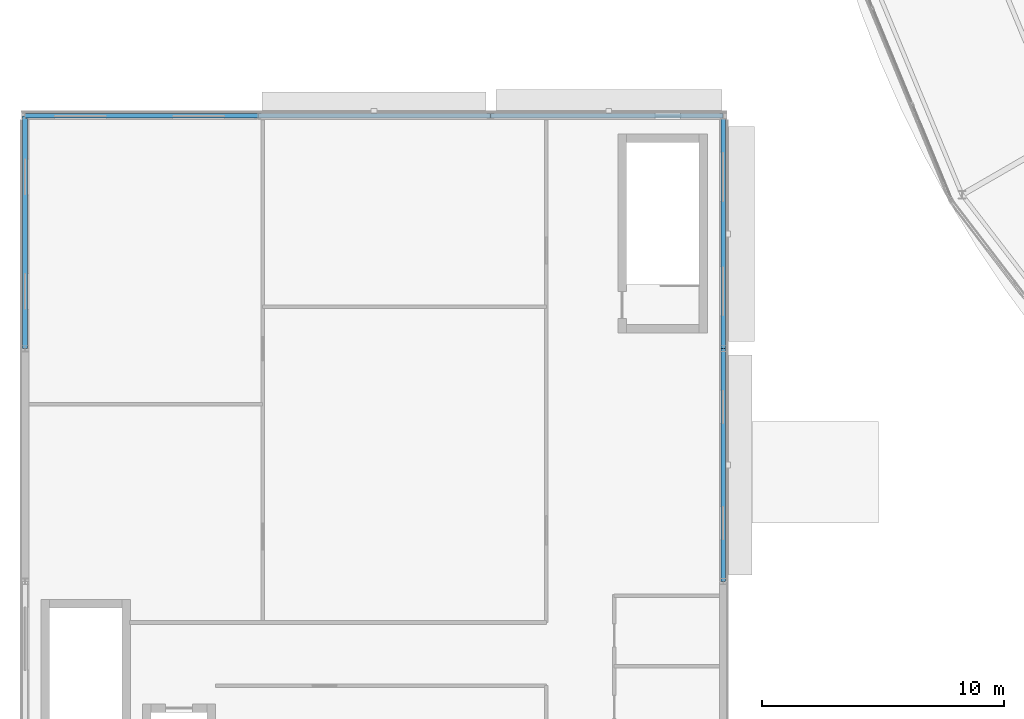
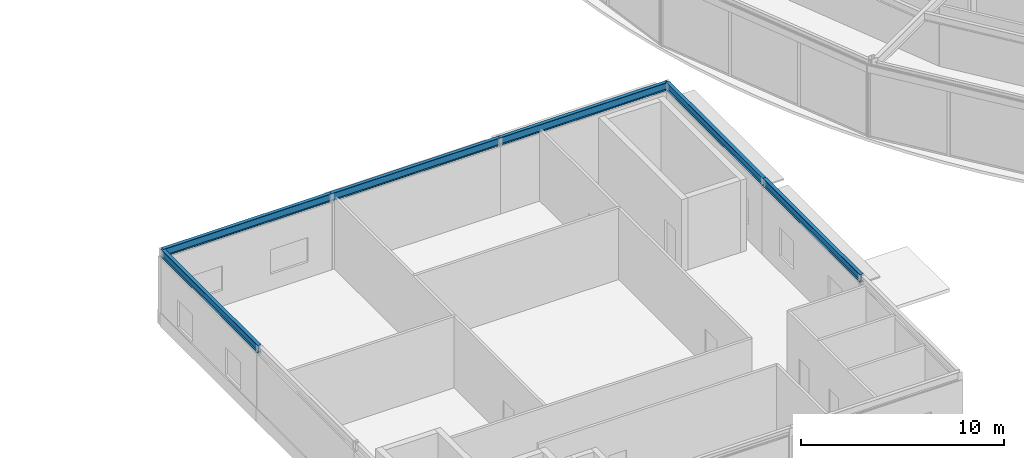
# One storey, part 22 of 133: 6 beams.
"""IFC4 building model written with IfcOpenShell, lengths in metres."""

from ifc_helpers import new_model, si_unit, direction, frame, origin, origin_2d, place, context, subcontext, project, spatial, i_section, extrude, material, material_profile, profile_set, type_object, element, save


model = new_model("IFC4")

# Units and contexts
model_context = context("Model", 3, precision=1e-05, world=origin(), true_north=direction((0.0, 1.0)))
body_context = subcontext(model_context, "Body", "Model", "MODEL_VIEW")
ifc_project = project(units=[si_unit("LENGTHUNIT", "METRE"), si_unit("AREAUNIT", "SQUARE_METRE"), si_unit("VOLUMEUNIT", "CUBIC_METRE"), si_unit("PLANEANGLEUNIT", "RADIAN"), si_unit("MASSUNIT", "GRAM", prefix="KILO")], contexts=[model_context])

# Site, building, storey
site_placement = place(None, origin())
site = spatial("IfcSite", under=ifc_project, at=site_placement, CompositionType="ELEMENT")
building_placement = place(site_placement, origin())
building = spatial("IfcBuilding", under=site, at=building_placement, Name="Almandine Court Research Institute", CompositionType="ELEMENT")
storey_placement = place(building_placement, frame((0.0, 0.0, 9.800048828125)))
storey = spatial("IfcBuildingStorey", under=building, at=storey_placement, Name="L02", CompositionType="ELEMENT", Elevation=9.800048828125)

# Beams
ifc_material = material(Name="Steel ASTM A992 Grade 50", Category="steel")
ifc_material_profile = material_profile(ifc_material, i_section(OverallWidth=0.193115234375, OverallDepth=0.466064453125, WebThickness=0.010986328125, FlangeThickness=0.01904296875, at=origin_2d()), Name="W460x97")
ifc_profile_set = profile_set([ifc_material_profile], Name="Steel ASTM A992 Grade 50")
beam_type = type_object("IfcBeamType", Name="Beam-G-06-E", PredefinedType="SPANDREL", material=ifc_profile_set)
beam_1_placement = place(storey_placement, frame((6.0, 34.800048828125, 4.31689453125), z_axis=(1.0, 0.0, 0.0), x_axis=(0.0, 1.0, 0.0)))
element("IfcBeam", 1, at=beam_1_placement, inside=storey, type_object=beam_type, Name="L02 V1 Primary X Girder", PredefinedType="SPANDREL", context=body_context, shape_type="SweptSolid", body=[
    extrude(i_section(OverallWidth=0.193115234375, OverallDepth=0.466064453125, WebThickness=0.010986328125, FlangeThickness=0.01904296875, at=origin_2d()), origin(), (0.0, 0.0, 1.0), 9.60009765625),
])
beam_2_placement = place(storey_placement, frame((15.60009765625, 34.800048828125, 4.31689453125), z_axis=(1.0, 0.0, 0.0), x_axis=(0.0, 1.0, 0.0)))
element("IfcBeam", 2, at=beam_2_placement, inside=storey, type_object=beam_type, Name="L02 V1 Primary X Girder", PredefinedType="SPANDREL", context=body_context, shape_type="SweptSolid", body=[
    extrude(i_section(OverallWidth=0.193115234375, OverallDepth=0.466064453125, WebThickness=0.010986328125, FlangeThickness=0.01904296875, at=origin_2d()), origin(), (0.0, 0.0, 1.0), 9.599853515625),
])
beam_3_placement = place(storey_placement, frame((25.199951171875, 34.800048828125, 4.31689453125), z_axis=(1.0, 0.0, 0.0), x_axis=(0.0, 1.0, 0.0)))
element("IfcBeam", 3, at=beam_3_placement, inside=storey, type_object=beam_type, Name="L02 V1 Primary X Girder", PredefinedType="SPANDREL", context=body_context, shape_type="SweptSolid", body=[
    extrude(i_section(OverallWidth=0.193115234375, OverallDepth=0.466064453125, WebThickness=0.010986328125, FlangeThickness=0.01904296875, at=origin_2d()), origin(), (0.0, 0.0, 1.0), 9.60009765625),
])
beam_4_placement = place(storey_placement, frame((34.800048828125, 15.60009765625, 4.31689453125), z_axis=(0.0, 1.0, 0.0), x_axis=(-1.0, 0.0, 0.0)))
element("IfcBeam", 4, at=beam_4_placement, inside=storey, type_object=beam_type, Name="L02 V1 Primary Y Girder", PredefinedType="SPANDREL", context=body_context, shape_type="SweptSolid", body=[
    extrude(i_section(OverallWidth=0.193115234375, OverallDepth=0.466064453125, WebThickness=0.010986328125, FlangeThickness=0.01904296875, at=origin_2d()), origin(), (0.0, 0.0, 1.0), 9.599853515625),
])
for number, where, z_axis, x_axis, name in (
    (5, (6.0, 25.199951171875, 4.31689453125), (0.0, 1.0, 0.0), (-1.0, 0.0, 0.0), "L02 V1 Primary Y Girder"),
    (6, (34.800048828125, 25.199951171875, 4.31689453125), (0.0, 1.0, 0.0), (-1.0, 0.0, 0.0), "L02 V1 Primary Y Girder"),
):
    element("IfcBeam", number, at=place(storey_placement, frame(where, z_axis=z_axis, x_axis=x_axis)), inside=storey, type_object=beam_type, Name=name, PredefinedType="SPANDREL", context=body_context, shape_type="SweptSolid", body=[
        extrude(i_section(OverallWidth=0.193115234375, OverallDepth=0.466064453125, WebThickness=0.010986328125, FlangeThickness=0.01904296875, at=origin_2d()), origin(), (0.0, 0.0, 1.0), 9.60009765625),
    ])

save(model, "model.ifc")
